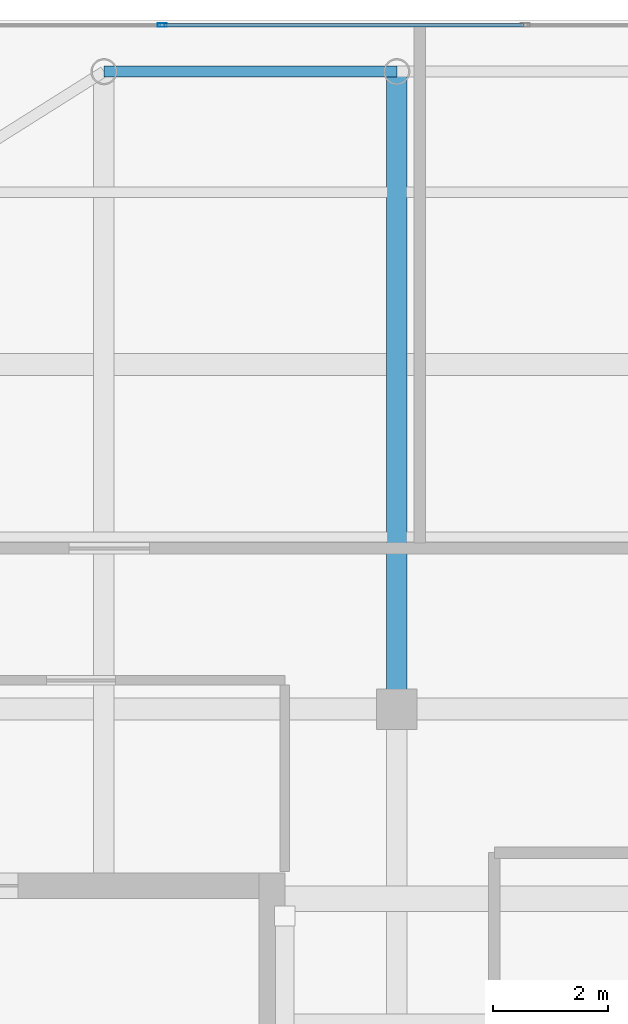
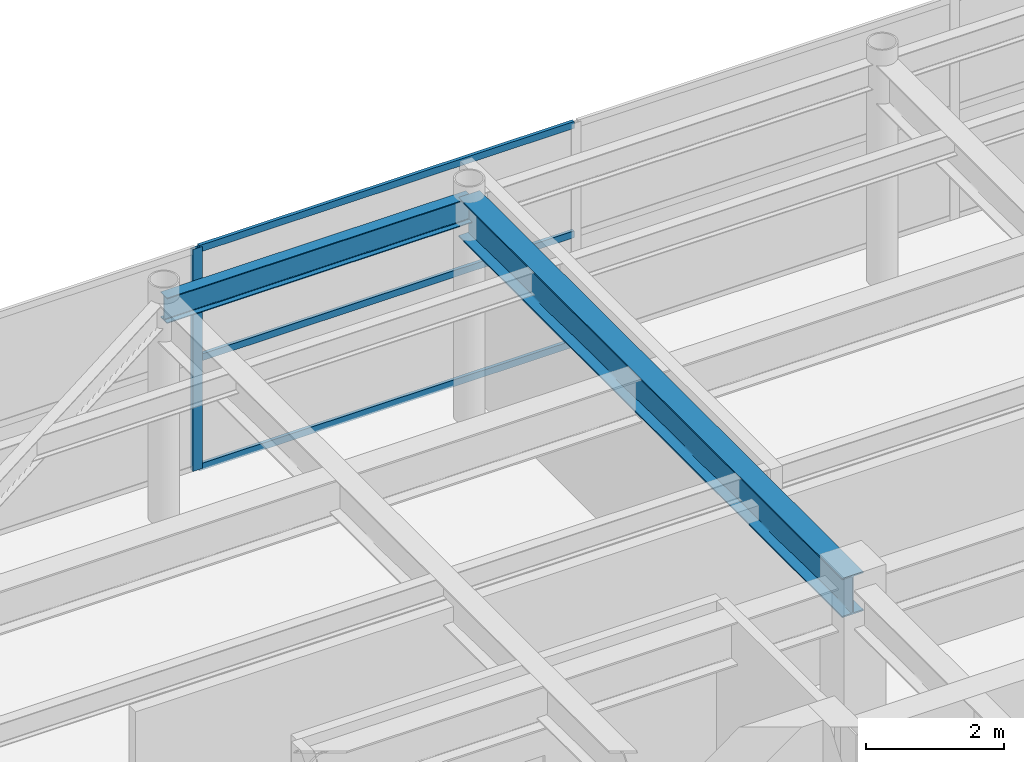
# One storey, part 23 of 33: 4 members, 2 beams, 1 element without a shape of its own.
"""IFC4 building model written with IfcOpenShell, lengths in metres."""

from ifc_helpers import new_model, si_unit, direction, frame, origin, origin_2d, place, context, subcontext, project, spatial, hollow_rectangle, i_section, extrude, source, transform, mapped, material, layer, layer_set, material_profile, profile_set, type_object, element, aggregate, save


model = new_model("IFC4")

# Units and contexts
model_context = context("Model", 3, precision=1e-05, world=origin(), true_north=direction((0.0, 1.0)))
body_context = subcontext(model_context, "Body", "Model", "MODEL_VIEW")
ifc_project = project(units=[si_unit("LENGTHUNIT", "METRE"), si_unit("AREAUNIT", "SQUARE_METRE"), si_unit("VOLUMEUNIT", "CUBIC_METRE"), si_unit("PLANEANGLEUNIT", "RADIAN"), si_unit("MASSUNIT", "GRAM", prefix="KILO")], contexts=[model_context])

# Site, building, storey
site_placement = place(None, origin())
site = spatial("IfcSite", under=ifc_project, at=site_placement, CompositionType="ELEMENT")
building_placement = place(site_placement, origin())
building = spatial("IfcBuilding", under=site, at=building_placement, Name="Khoralis Quay Care Tower", CompositionType="ELEMENT")
storey_placement = place(building_placement, frame((0.0, 0.0, 302.10009765625)))
storey = spatial("IfcBuildingStorey", under=building, at=storey_placement, Name="L79", CompositionType="ELEMENT", Elevation=302.10009765625)

# Beams
ifc_material_1 = material(Name="Steel S355", Category="steel")
ifc_material_profile_1 = material_profile(ifc_material_1, i_section(OverallWidth=0.18994140625, OverallDepth=0.449951171875, WebThickness=0.009521484375, FlangeThickness=0.0146484375, FilletRadius=0.02099609375, at=origin_2d()), Name="Steel S355")
ifc_profile_set_1 = profile_set([ifc_material_profile_1], Name="Steel S355")
beam_type_1 = type_object("IfcBeamType", Name="BM-IPE450", PredefinedType="SPANDREL", material=ifc_profile_set_1)
shared_shape_1 = source(origin(), body_context, "Body", "SweptSolid", [
    extrude(i_section(OverallWidth=0.18994140625, OverallDepth=0.449951171875, WebThickness=0.009521484375, FlangeThickness=0.0146484375, FilletRadius=0.02099609375, at=origin_2d()), origin(), (0.0, 0.0, 1.0), 5.10009765625),
])
beam_1_placement = place(storey_placement, frame((12.0, 41.10009765625, 3.69482421875), z_axis=(1.0, 0.0, 0.0), x_axis=(0.0, 1.0, 0.0)))
element("IfcBeam", 1, at=beam_1_placement, inside=storey, type_object=beam_type_1, Name="BM-TSP-L79-05", PredefinedType="SPANDREL", context=body_context, shape_type="MappedRepresentation", body=[
    mapped(shared_shape_1, transform((0.0, 0.0, 0.0), scale=1.0)),
])
ifc_material_profile_2 = material_profile(ifc_material_1, i_section(OverallWidth=0.35498046875, OverallDepth=0.695068359375, WebThickness=0.015380859375, FlangeThickness=0.02490234375, FilletRadius=0.02001953125, at=origin_2d()), Name="Steel S355")
ifc_profile_set_2 = profile_set([ifc_material_profile_2], Name="Steel S355")
beam_type_2 = type_object("IfcBeamType", Name="BM-W690X217", PredefinedType="BEAM", material=ifc_profile_set_2)
shared_shape_2 = source(origin(), body_context, "Body", "SweptSolid", [
    extrude(i_section(OverallWidth=0.35498046875, OverallDepth=0.695068359375, WebThickness=0.015380859375, FlangeThickness=0.02490234375, FilletRadius=0.02001953125, at=origin_2d()), origin(), (0.0, 0.0, 1.0), 11.10009765625),
])
beam_2_placement = place(storey_placement, frame((17.10009765625, 30.0, 3.572509765625), z_axis=(0.0, 1.0, 0.0), x_axis=(-1.0, 0.0, 0.0)))
element("IfcBeam", 2, at=beam_2_placement, inside=storey, type_object=beam_type_2, Name="BM-TGYN-L79-171", PredefinedType="BEAM", context=body_context, shape_type="MappedRepresentation", body=[
    mapped(shared_shape_2, transform((0.0, 0.0, 0.0), scale=1.0)),
])

# Curtain wall, members
ifc_material_2 = material(Name="Pale anodised aluminium", Category="aluminium")
ifc_layer = layer(ifc_material_2, 0.199951171875)
ifc_layer_set = layer_set([ifc_layer], Name="Pale anodised aluminium")
curtain_wall_type = type_object("IfcCurtainWallType", Name="CW-SYS-LANTERN", PredefinedType="NOTDEFINED", material=ifc_layer_set)
curtain_wall_placement = place(storey_placement, origin())
curtain_wall = element("IfcCurtainWall", 3, at=curtain_wall_placement, inside=storey, type_object=curtain_wall_type, Name="L79 Unitised Curtain Wall CW-LN-L79-11", PredefinedType="NOTDEFINED")
ifc_material_profile_3 = material_profile(ifc_material_2, hollow_rectangle(XDim=0.054931640625, YDim=0.1201171875, WallThickness=0.00390625, at=origin_2d()), Name="Pale anodised aluminium")
ifc_profile_set_3 = profile_set([ifc_material_profile_3], Name="Pale anodised aluminium")
member_type_1 = type_object("IfcMemberType", Name="CW-TRN-120", PredefinedType="USERDEFINED", material=ifc_profile_set_3)
shared_shape_3 = source(origin(), body_context, "Body", "SweptSolid", [
    extrude(hollow_rectangle(XDim=0.054931640625, YDim=0.1201171875, WallThickness=0.00390625, at=origin_2d()), origin(), (0.0, 0.0, 1.0), 6.26416015625),
])
member_1_placement = place(storey_placement, frame((19.30810546875, 41.909912109375, 0.02978515625), z_axis=(-1.0, 0.0, 0.0), x_axis=(0.0, -1.0, 0.0)))
member_1 = element("IfcMember", 4, at=member_1_placement, type_object=member_type_1, Name="CW5 transom 4.1", ObjectType="TRANSOM", PredefinedType="USERDEFINED", context=body_context, shape_type="MappedRepresentation", body=[
    mapped(shared_shape_3, transform((0.0, 0.0, 0.0), scale=1.0)),
])
member_2_placement = place(storey_placement, frame((19.30810546875, 41.909912109375, 1.9599609375), z_axis=(-1.0, 0.0, 0.0), x_axis=(0.0, -1.0, 0.0)))
member_2 = element("IfcMember", 5, at=member_2_placement, type_object=member_type_1, Name="CW5 transom 4.2", ObjectType="TRANSOM", PredefinedType="USERDEFINED", context=body_context, shape_type="MappedRepresentation", body=[
    mapped(shared_shape_3, transform((0.0, 0.0, 0.0), scale=1.0)),
])
member_3_placement = place(storey_placement, frame((19.30810546875, 41.909912109375, 3.889892578125), z_axis=(-1.0, 0.0, 0.0), x_axis=(0.0, -1.0, 0.0)))
member_3 = element("IfcMember", 6, at=member_3_placement, type_object=member_type_1, Name="CW5 transom 4.3", ObjectType="TRANSOM", PredefinedType="USERDEFINED", context=body_context, shape_type="MappedRepresentation", body=[
    mapped(shared_shape_3, transform((0.0, 0.0, 0.0), scale=1.0)),
])
ifc_material_profile_4 = material_profile(ifc_material_2, hollow_rectangle(XDim=0.06005859375, YDim=0.159912109375, WallThickness=0.00390625, at=origin_2d()), Name="Pale anodised aluminium")
ifc_profile_set_4 = profile_set([ifc_material_profile_4], Name="Pale anodised aluminium")
member_type_2 = type_object("IfcMemberType", Name="CW-MUL-160", PredefinedType="MULLION", material=ifc_profile_set_4)
shared_shape_4 = source(origin(), body_context, "Body", "SweptSolid", [
    extrude(hollow_rectangle(XDim=0.06005859375, YDim=0.159912109375, WallThickness=0.00390625, at=origin_2d()), origin(), (0.0, 0.0, 1.0), 3.919921875),
])
member_4_placement = place(storey_placement, frame((13.013916015625, 41.909912109375, 0.0), z_axis=(0.0, 0.0, 1.0), x_axis=(0.0, -1.0, 0.0)))
member_4 = element("IfcMember", 7, at=member_4_placement, type_object=member_type_2, Name="CW5 mullion 5", PredefinedType="MULLION", context=body_context, shape_type="MappedRepresentation", body=[
    mapped(shared_shape_4, transform((0.0, 0.0, 0.0), scale=1.0)),
])
aggregate(curtain_wall, [member_4, member_1, member_2, member_3])

save(model, "model.ifc")
